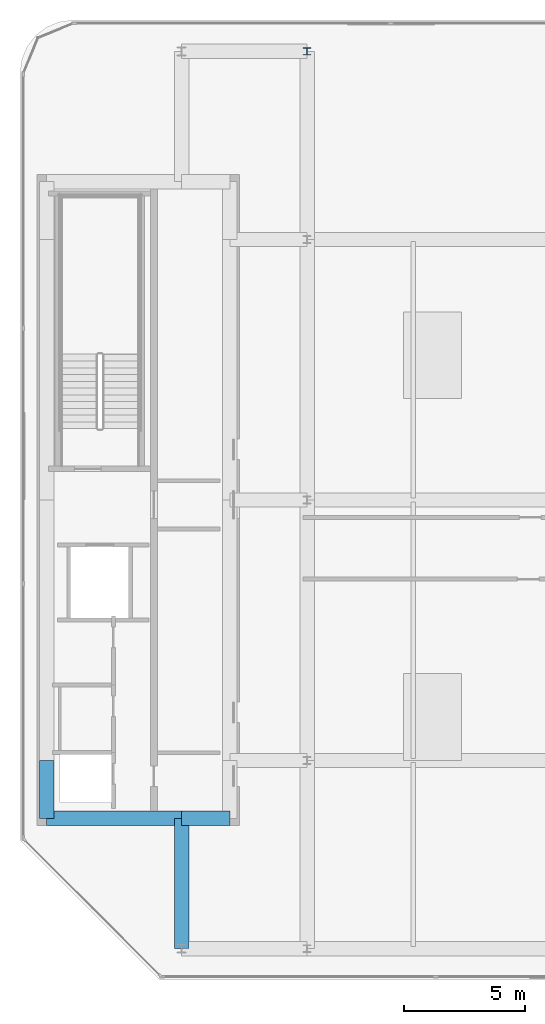
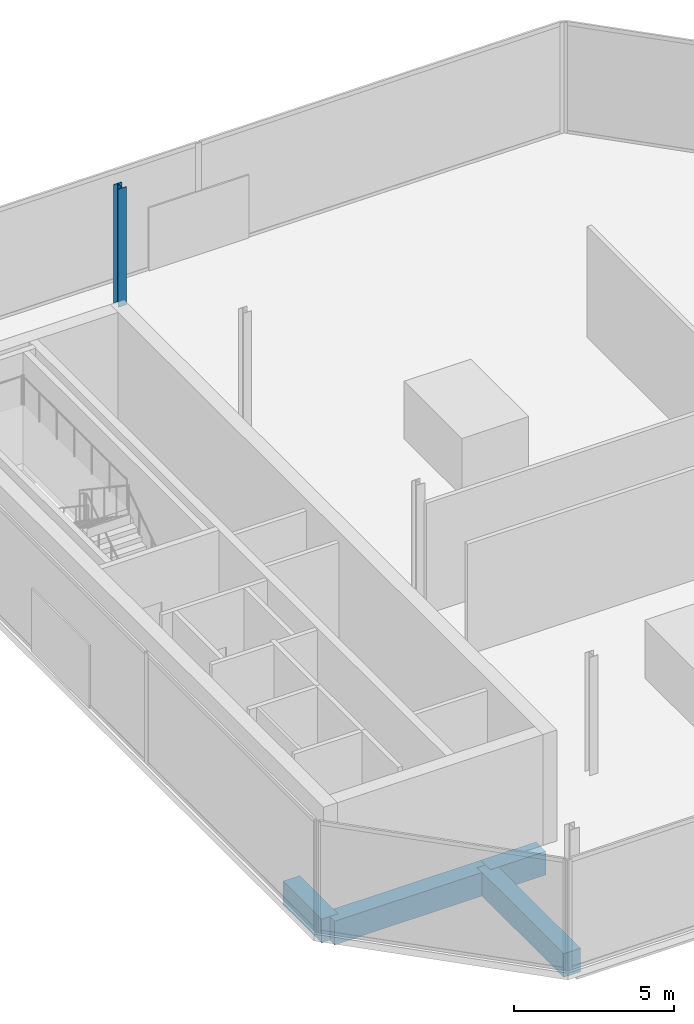
# One storey, part 3 of 15: 4 beams, 1 column.
"""IFC4 building model written with IfcOpenShell, lengths in metres."""

from ifc_helpers import new_model, si_unit, direction, frame, origin, origin_2d, place, context, subcontext, project, spatial, rectangle, i_section, extrude, material, material_profile, profile_set, type_object, element, save


model = new_model("IFC4")

# Units and contexts
model_context = context("Model", 3, precision=1e-05, world=origin(), true_north=direction((0.0, 1.0)))
body_context = subcontext(model_context, "Body", "Model", "MODEL_VIEW")
ifc_project = project(units=[si_unit("LENGTHUNIT", "METRE"), si_unit("AREAUNIT", "SQUARE_METRE"), si_unit("VOLUMEUNIT", "CUBIC_METRE"), si_unit("PLANEANGLEUNIT", "RADIAN"), si_unit("MASSUNIT", "GRAM", prefix="KILO")], contexts=[model_context])

# Site, building, storey
site_placement = place(None, origin())
site = spatial("IfcSite", under=ifc_project, at=site_placement, CompositionType="ELEMENT")
building_placement = place(site_placement, origin())
building = spatial("IfcBuilding", under=site, at=building_placement, Name="Khairoan Windgate Tower", CompositionType="ELEMENT")
storey_placement = place(building_placement, frame((0.0, 0.0, 335.0)))
storey = spatial("IfcBuildingStorey", under=building, at=storey_placement, Name="L80", CompositionType="ELEMENT", Elevation=335.0)

# Column
ifc_material_1 = material(Name="Steel S355", Category="steel")
ifc_material_profile_1 = material_profile(ifc_material_1, i_section(OverallWidth=0.300048828125, OverallDepth=0.300048828125, WebThickness=0.010009765625, FlangeThickness=0.014892578125, FilletRadius=0.01806640625, at=origin_2d()))
ifc_profile_set_1 = profile_set([ifc_material_profile_1], Name="Steel S355")
column_type = type_object("IfcColumnType", Name="Steel Column SC6 H300x300x10x15", PredefinedType="COLUMN", material=ifc_profile_set_1)
column_placement = place(storey_placement, frame((-9.199951171875, 18.60009765625, 0.0), z_axis=(0.0, 0.0, 1.0), x_axis=(1.0, 0.0, 0.0)))
element("IfcColumn", 1, at=column_placement, inside=storey, type_object=column_type, Name="Column L80-05", PredefinedType="COLUMN", context=body_context, shape_type="SweptSolid", body=[
    extrude(i_section(OverallWidth=0.300048828125, OverallDepth=0.300048828125, WebThickness=0.010009765625, FlangeThickness=0.014892578125, FilletRadius=0.01806640625, at=origin_2d()), origin(), (0.0, 0.0, 1.0), 4.5),
])

# Beams
ifc_material_2 = material(Name="Concrete C50/60", Category="concrete")
ifc_material_profile_2 = material_profile(ifc_material_2, rectangle(XDim=0.60009765625, YDim=0.89990234375, at=origin_2d()))
ifc_profile_set_2 = profile_set([ifc_material_profile_2], Name="Concrete C50/60")
beam_type = type_object("IfcBeamType", Name="Beam B-RC1 RC600x900", PredefinedType="BEAM", material=ifc_profile_set_2)
beam_1_placement = place(storey_placement, frame((-20.0, -13.199951171875, -0.7099609375), z_axis=(1.0, 0.0, 0.0), x_axis=(0.0, 1.0, 0.0)))
element("IfcBeam", 2, at=beam_1_placement, inside=storey, type_object=beam_type, Name="L80 E-W Primary Girder 04", PredefinedType="BEAM", context=body_context, shape_type="SweptSolid", body=[
    extrude(rectangle(XDim=0.60009765625, YDim=0.89990234375, at=origin_2d()), origin(), (0.0, 0.0, 1.0), 5.60009765625),
])
beam_2_placement = place(storey_placement, frame((-14.39990234375, -13.199951171875, -0.7099609375), z_axis=(1.0, 0.0, 0.0), x_axis=(0.0, 1.0, 0.0)))
element("IfcBeam", 3, at=beam_2_placement, inside=storey, type_object=beam_type, Name="L80 E-W Primary Girder 05", PredefinedType="BEAM", context=body_context, shape_type="SweptSolid", body=[
    extrude(rectangle(XDim=0.60009765625, YDim=0.89990234375, at=origin_2d()), origin(), (0.0, 0.0, 1.0), 2.0),
])
beam_3_placement = place(storey_placement, frame((-20.0, -13.199951171875, -0.7099609375), z_axis=(0.0, 1.0, 0.0), x_axis=(-1.0, 0.0, 0.0)))
element("IfcBeam", 4, at=beam_3_placement, inside=storey, type_object=beam_type, Name="L80 N-S Primary Beam 19", PredefinedType="BEAM", context=body_context, shape_type="SweptSolid", body=[
    extrude(rectangle(XDim=0.60009765625, YDim=0.89990234375, at=origin_2d()), origin(), (0.0, 0.0, 1.0), 2.39990234375),
])
beam_4_placement = place(storey_placement, frame((-14.39990234375, -18.60009765625, -0.7099609375), z_axis=(0.0, 1.0, 0.0), x_axis=(-1.0, 0.0, 0.0)))
element("IfcBeam", 5, at=beam_4_placement, inside=storey, type_object=beam_type, Name="L80 N-S Primary Beam 23", PredefinedType="BEAM", context=body_context, shape_type="SweptSolid", body=[
    extrude(rectangle(XDim=0.60009765625, YDim=0.89990234375, at=origin_2d()), origin(), (0.0, 0.0, 1.0), 5.400146484375),
])

save(model, "model.ifc")
